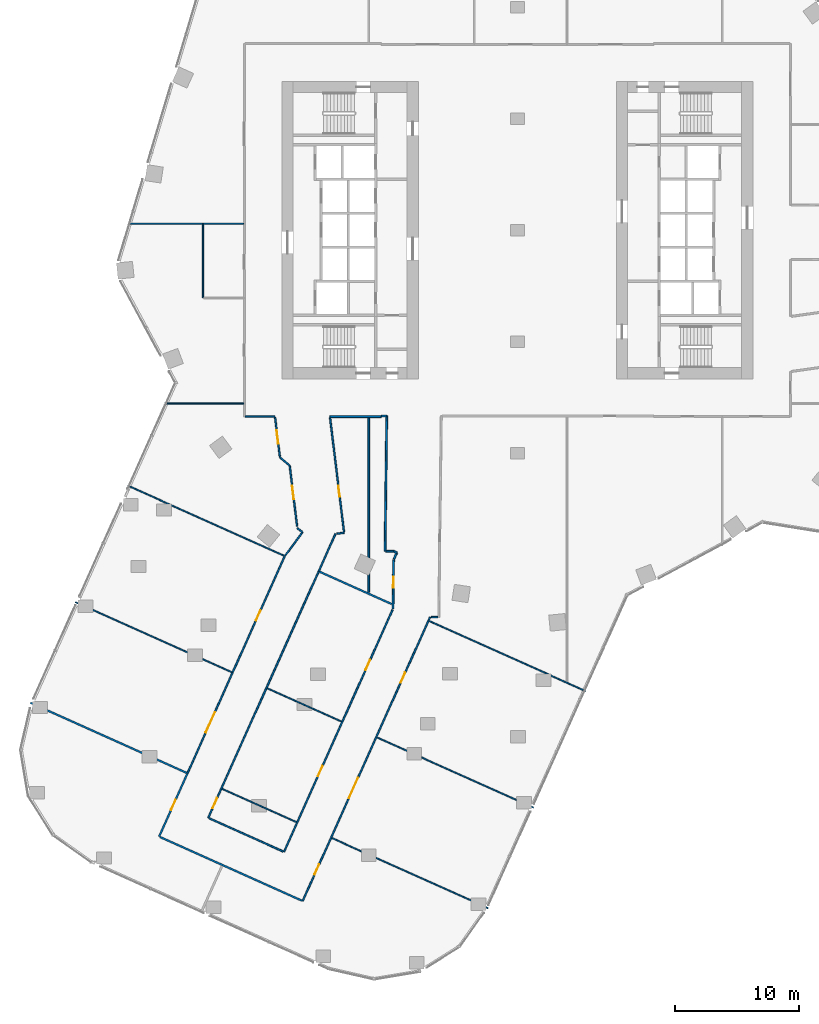
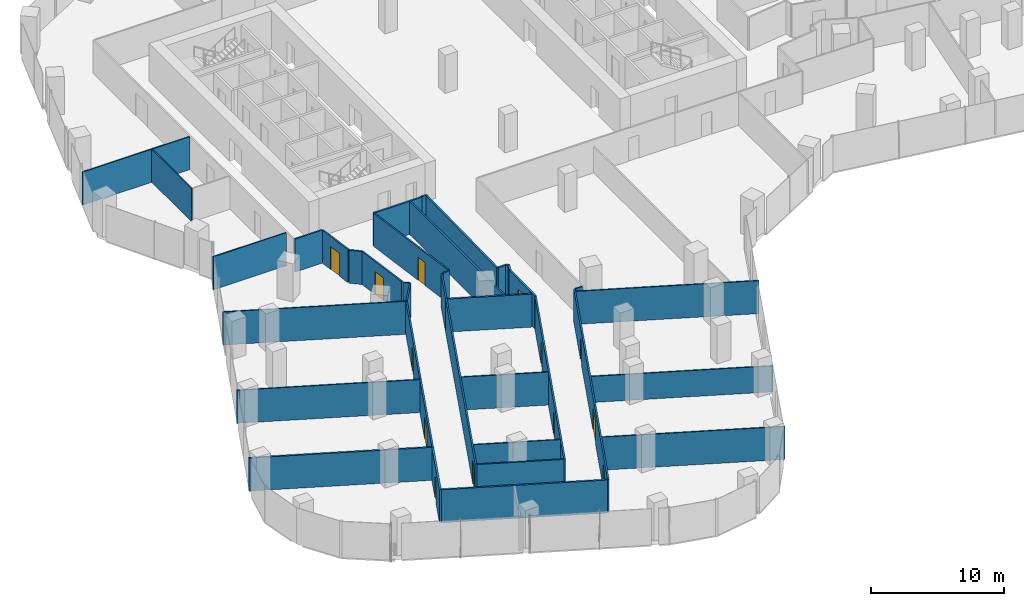
# One storey, part 25 of 34: 38 walls, 13 doors, 13 openings.
"""IFC4 building model written with IfcOpenShell, lengths in metres."""

from ifc_helpers import new_model, si_unit, direction, frame, frame_2d, origin, place, context, subcontext, project, spatial, rectangle, extrude, material, layer, layer_set, type_object, element, fill, save


model = new_model("IFC4")

# Units and contexts
model_context = context("Model", 3, precision=1e-05, world=origin(), true_north=direction((0.0, 1.0)))
body_context = subcontext(model_context, "Body", "Model", "MODEL_VIEW")
ifc_project = project(units=[si_unit("LENGTHUNIT", "METRE"), si_unit("AREAUNIT", "SQUARE_METRE"), si_unit("VOLUMEUNIT", "CUBIC_METRE"), si_unit("PLANEANGLEUNIT", "RADIAN"), si_unit("MASSUNIT", "GRAM", prefix="KILO")], contexts=[model_context])

# Site, building, storey
site_placement = place(None, origin())
site = spatial("IfcSite", under=ifc_project, at=site_placement, CompositionType="ELEMENT")
building_placement = place(site_placement, origin())
building = spatial("IfcBuilding", under=site, at=building_placement, Name="Orlundy Tower", CompositionType="ELEMENT")
storey_placement = place(building_placement, frame((0.0, 0.0, 134.199951171875)))
storey = spatial("IfcBuildingStorey", under=building, at=storey_placement, Name="L34", CompositionType="ELEMENT", Elevation=134.199951171875)

# Walls
ifc_material_1 = material(Name="Gypsum board partition")
ifc_layer_1 = layer(ifc_material_1, 0.10009765625)
ifc_layer_set_1 = layer_set([ifc_layer_1], Name="Floor partition 100")
wall_type_1 = type_object("IfcWallType", Name="Floor partition 100", PredefinedType="PARTITIONING", material=ifc_layer_set_1)
wall_1_placement = place(storey_placement, frame((-23.840087890625, -45.092041015625, 0.0), z_axis=(0.0, 0.0, 1.0), x_axis=(0.912407050909, -0.409283976539, 0.0)))
element("IfcWall", 1, at=wall_1_placement, inside=storey, type_object=wall_type_1, Name="wall-int-L34-014", PredefinedType="PARTITIONING", context=body_context, shape_type="SweptSolid", body=[
    extrude(rectangle(XDim=6.5771484375, YDim=0.10009765625, at=frame_2d((3.28857421875, 0.0))), origin(), (0.0, 0.0, 1.0), 3.030029296875),
])
wall_2_placement = place(storey_placement, frame((-14.987060546875, -49.06494140625, 0.0), z_axis=(0.0, 0.0, 1.0), x_axis=(0.912373916734, -0.409357833763, 0.0)))
element("IfcWall", 2, at=wall_2_placement, inside=storey, type_object=wall_type_1, Name="wall-int-L34-015", PredefinedType="PARTITIONING", context=body_context, shape_type="SweptSolid", body=[
    extrude(rectangle(XDim=13.83642578125, YDim=0.10009765625, at=frame_2d((6.918212890625, 0.0))), origin(), (0.0, 0.0, 1.0), 3.030029296875),
])
wall_3_placement = place(storey_placement, frame((-35.669921875, -30.029052734375, 0.0), z_axis=(0.0, 0.0, 1.0), x_axis=(0.912388382828, -0.409325590307, 0.0)))
element("IfcWall", 3, at=wall_3_placement, inside=storey, type_object=wall_type_1, Name="wall-int-L34-016", PredefinedType="PARTITIONING", context=body_context, shape_type="SweptSolid", body=[
    extrude(rectangle(XDim=13.827392578125, YDim=0.10009765625, at=frame_2d((6.91357421875, 0.0))), origin(), (0.0, 0.0, 1.0), 3.030029296875),
])
wall_4_placement = place(storey_placement, frame((-20.201904296875, -36.969970703125, 0.0), z_axis=(0.0, 0.0, 1.0), x_axis=(0.912431503612, -0.409229460346, 0.0)))
element("IfcWall", 4, at=wall_4_placement, inside=storey, type_object=wall_type_1, Name="wall-int-L34-017", PredefinedType="PARTITIONING", context=body_context, shape_type="SweptSolid", body=[
    extrude(rectangle(XDim=6.583251953125, YDim=0.10009765625, at=frame_2d((3.29150390625, 0.0))), origin(), (0.0, 0.0, 1.0), 3.030029296875),
])
wall_5_placement = place(storey_placement, frame((-31.449951171875, -20.625, 0.0), z_axis=(0.0, 0.0, 1.0), x_axis=(0.91235405171, -0.409402105916, 0.0)))
element("IfcWall", 5, at=wall_5_placement, inside=storey, type_object=wall_type_1, Name="wall-int-L34-019", PredefinedType="PARTITIONING", context=body_context, shape_type="SweptSolid", body=[
    extrude(rectangle(XDim=13.80810546875, YDim=0.10009765625, at=frame_2d((6.904052734375, 0.0))), origin(), (0.0, 0.0, 1.0), 3.030029296875),
])
wall_6_placement = place(storey_placement, frame((-7.1240234375, -31.541015625, 0.0), z_axis=(0.0, 0.0, 1.0), x_axis=(0.91234755526, -0.409416582971, 0.0)))
element("IfcWall", 6, at=wall_6_placement, inside=storey, type_object=wall_type_1, Name="wall-int-L34-021", PredefinedType="PARTITIONING", context=body_context, shape_type="SweptSolid", body=[
    extrude(rectangle(XDim=13.8369140625, YDim=0.10009765625, at=frame_2d((6.91845703125, 0.0))), origin(), (0.0, 0.0, 1.0), 3.030029296875),
])
wall_7_placement = place(storey_placement, frame((-28.47705078125, -14.0, 0.0), z_axis=(0.0, 0.0, 1.0), x_axis=(1.0, 0.0, 0.0)))
element("IfcWall", 7, at=wall_7_placement, inside=storey, type_object=wall_type_1, Name="wall-int-L34-035", PredefinedType="PARTITIONING", context=body_context, shape_type="SweptSolid", body=[
    extrude(rectangle(XDim=6.364013671875, YDim=0.10009765625, at=frame_2d((3.18212890625, 0.0))), origin(), (0.0, 0.0, 1.0), 3.030029296875),
])
wall_8_placement = place(storey_placement, frame((-31.419921875, 0.52392578125, 0.0), z_axis=(0.0, 0.0, 1.0), x_axis=(1.0, 0.0, 0.0)))
element("IfcWall", 8, at=wall_8_placement, inside=storey, type_object=wall_type_1, Name="wall-int-L34-038", PredefinedType="PARTITIONING", context=body_context, shape_type="SweptSolid", body=[
    extrude(rectangle(XDim=9.306884765625, YDim=0.10009765625, at=frame_2d((4.6533203125, 0.0))), origin(), (0.0, 0.0, 1.0), 3.030029296875),
])
wall_9_placement = place(storey_placement, frame((-25.382080078125, -5.47509765625, 0.0), z_axis=(0.0, 0.0, 1.0), x_axis=(0.0, 1.0, 0.0)))
element("IfcWall", 9, at=wall_9_placement, inside=storey, type_object=wall_type_1, Name="wall-int-L34-087", PredefinedType="PARTITIONING", context=body_context, shape_type="SweptSolid", body=[
    extrude(rectangle(XDim=5.94921875, YDim=0.10009765625, at=frame_2d((2.974609375, 0.0))), origin(), (0.0, 0.0, 1.0), 3.030029296875),
])
ifc_material_2 = material(Name="Gypsum board partition")
ifc_layer_2 = layer(ifc_material_2, 0.10009765625)
ifc_layer_set_2 = layer_set([ifc_layer_2], Name="Floor partition 100 B")
wall_type_2 = type_object("IfcWallType", Name="Floor partition 100 B", PredefinedType="PARTITIONING", material=ifc_layer_set_2)
wall_10_placement = place(storey_placement, frame((-11.343994140625, -40.945068359375, 0.0), z_axis=(0.0, 0.0, 1.0), x_axis=(0.912392332027, -0.409316787413, 0.0)))
element("IfcWall", 10, at=wall_10_placement, inside=storey, type_object=wall_type_2, Name="wall-int-L34-018", PredefinedType="PARTITIONING", context=body_context, shape_type="SweptSolid", body=[
    extrude(rectangle(XDim=13.837158203125, YDim=0.10009765625, at=frame_2d((6.91845703125, 0.0))), origin(), (0.0, 0.0, 1.0), 2.39501953125),
])

# Wall, opening, door
ifc_material_3 = material(Name="Gypsum board partition, double layer")
ifc_layer_3 = layer(ifc_material_3, 0.125)
ifc_layer_set_3 = layer_set([ifc_layer_3], Name="Floor partition 125")
wall_type_3 = type_object("IfcWallType", Name="Floor partition 125", PredefinedType="PARTITIONING", material=ifc_layer_set_3)
wall_11_placement = place(storey_placement, frame((-19.179931640625, -18.27197265625, 0.0), z_axis=(0.0, 0.0, 1.0), x_axis=(-0.120984312483, 0.992654419289, 0.0)))
wall_11 = element("IfcWall", 11, at=wall_11_placement, inside=storey, type_object=wall_type_3, Name="wall-int-L34-003", PredefinedType="PARTITIONING", context=body_context, shape_type="SweptSolid", body=[
    extrude(rectangle(XDim=3.182373046875, YDim=0.125, at=frame_2d((1.59130859375, 0.0))), origin(), (0.0, 0.0, 1.0), 3.030029296875),
])
opening_1_placement = place(wall_11_placement, frame((1.03759765625, 0.0, 0.0)))
opening_1 = element("IfcOpeningElement", 12, at=opening_1_placement, cuts=wall_11, Name="Opening 26118", PredefinedType="OPENING", context=body_context, shape_type="SweptSolid", body=[
    extrude(rectangle(XDim=1.10009765625, YDim=2.10009765625, at=frame_2d((0.550048828125, 1.050048828125))), frame((0.0, 0.072509765625, 0.0), z_axis=(0.0, -1.0, 0.0), x_axis=(1.0, 0.0, 0.0)), (0.0, 0.0, 1.0), 0.14501953125),
])
ifc_material_4 = material(Name="Timber door leaf", Category="wood")
door_type_1 = type_object("IfcDoorType", Name="Floor door xwide 1100 FD30S", OperationType="NOTDEFINED", PredefinedType="DOOR", material=ifc_material_4)
door_1_placement = place(opening_1_placement, origin())
door_1 = element("IfcDoor", 13, at=door_1_placement, inside=storey, type_object=door_type_1, Name="Door 26118", OperationType="SINGLE_SWING_LEFT", OverallHeight=2.10009765625, OverallWidth=1.10009765625, PredefinedType="DOOR", context=body_context, shape_type="SweptSolid", body=[
    extrude(rectangle(XDim=1.10009765625, YDim=2.10009765625, at=frame_2d((0.550048828125, 1.050048828125))), frame((0.0, 0.02490234375, 0.0), z_axis=(0.0, -1.0, 0.0), x_axis=(1.0, 0.0, 0.0)), (0.0, 0.0, 1.0), 0.050048828125),
])
fill(opening_1, door_1)

wall_12_placement = place(storey_placement, frame((-17.7880859375, -23.89111328125, 0.0), z_axis=(0.0, 0.0, 1.0), x_axis=(-0.121262962016, 0.992620417906, 0.0)))
wall_12 = element("IfcWall", 14, at=wall_12_placement, inside=storey, type_object=wall_type_3, Name="wall-int-L34-004", PredefinedType="PARTITIONING", context=body_context, shape_type="SweptSolid", body=[
    extrude(rectangle(XDim=4.922607421875, YDim=0.125, at=frame_2d((2.46142578125, 0.0))), origin(), (0.0, 0.0, 1.0), 3.030029296875),
])
opening_2_placement = place(wall_12_placement, frame((2.194580078125, 0.0, 0.0)))
opening_2 = element("IfcOpeningElement", 15, at=opening_2_placement, cuts=wall_12, Name="Opening 26119", PredefinedType="OPENING", context=body_context, shape_type="SweptSolid", body=[
    extrude(rectangle(XDim=1.10009765625, YDim=2.10009765625, at=frame_2d((0.550048828125, 1.050048828125))), frame((0.0, 0.072509765625, 0.0), z_axis=(0.0, -1.0, 0.0), x_axis=(1.0, 0.0, 0.0)), (0.0, 0.0, 1.0), 0.14501953125),
])
door_2_placement = place(opening_2_placement, origin())
door_2 = element("IfcDoor", 16, at=door_2_placement, inside=storey, type_object=door_type_1, Name="Door 26119", OperationType="SINGLE_SWING_RIGHT", OverallHeight=2.10009765625, OverallWidth=1.10009765625, PredefinedType="DOOR", context=body_context, shape_type="SweptSolid", body=[
    extrude(rectangle(XDim=1.10009765625, YDim=2.10009765625, at=frame_2d((0.550048828125, 1.050048828125))), frame((0.0, 0.02490234375, 0.0), z_axis=(0.0, -1.0, 0.0), x_axis=(1.0, 0.0, 0.0)), (0.0, 0.0, 1.0), 0.050048828125),
])
fill(opening_2, door_2)

wall_13_placement = place(storey_placement, frame((-15.1298828125, -15.125, 0.0), z_axis=(0.0, 0.0, 1.0), x_axis=(0.121299614281, -0.992615939614, 0.0)))
wall_13 = element("IfcWall", 17, at=wall_13_placement, inside=storey, type_object=wall_type_3, Name="wall-int-L34-005", PredefinedType="PARTITIONING", context=body_context, shape_type="SweptSolid", body=[
    extrude(rectangle(XDim=9.306640625, YDim=0.125, at=frame_2d((4.6533203125, 0.0))), origin(), (0.0, 0.0, 1.0), 3.030029296875),
])
opening_3_placement = place(wall_13_placement, frame((5.54443359375, 0.0, 0.0)))
opening_3 = element("IfcOpeningElement", 18, at=opening_3_placement, cuts=wall_13, Name="Opening 26120", PredefinedType="OPENING", context=body_context, shape_type="SweptSolid", body=[
    extrude(rectangle(XDim=0.89990234375, YDim=2.10009765625, at=frame_2d((0.449951171875, 1.050048828125))), frame((0.0, 0.072509765625, 0.0), z_axis=(0.0, -1.0, 0.0), x_axis=(1.0, 0.0, 0.0)), (0.0, 0.0, 1.0), 0.14501953125),
])
ifc_material_5 = material(Name="Timber door leaf", Category="wood")
door_type_2 = type_object("IfcDoorType", Name="Floor door single 900 FD30S", OperationType="NOTDEFINED", PredefinedType="DOOR", material=ifc_material_5)
door_3_placement = place(opening_3_placement, origin())
door_3 = element("IfcDoor", 19, at=door_3_placement, inside=storey, type_object=door_type_2, Name="Door 26120", OperationType="SINGLE_SWING_RIGHT", OverallHeight=2.10009765625, OverallWidth=0.89990234375, PredefinedType="DOOR", context=body_context, shape_type="SweptSolid", body=[
    extrude(rectangle(XDim=0.89990234375, YDim=2.10009765625, at=frame_2d((0.449951171875, 1.050048828125))), frame((0.0, 0.02490234375, 0.0), z_axis=(0.0, -1.0, 0.0), x_axis=(1.0, 0.0, 0.0)), (0.0, 0.0, 1.0), 0.050048828125),
])
fill(opening_3, door_3)

# Walls
wall_14_placement = place(storey_placement, frame((-17.77197265625, -24.052001953125, 0.0), z_axis=(0.0, 0.0, 1.0), x_axis=(0.774946890669, -0.632026357554, 0.0)))
element("IfcWall", 20, at=wall_14_placement, inside=storey, type_object=wall_type_3, Name="wall-int-L34-008", PredefinedType="PARTITIONING", context=body_context, shape_type="SweptSolid", body=[
    extrude(rectangle(XDim=0.5380859375, YDim=0.125, at=frame_2d((0.26904296875, 0.0))), origin(), (0.0, 0.0, 1.0), 3.030029296875),
])
wall_15_placement = place(storey_placement, frame((-24.903076171875, -47.465087890625, 0.0), z_axis=(0.0, 0.0, 1.0), x_axis=(0.912437629311, -0.409215802013, 0.0)))
element("IfcWall", 21, at=wall_15_placement, inside=storey, type_object=wall_type_3, Name="wall-int-L34-012", PredefinedType="PARTITIONING", context=body_context, shape_type="SweptSolid", body=[
    extrude(rectangle(XDim=6.57568359375, YDim=0.125, at=frame_2d((3.287841796875, 0.0))), origin(), (0.0, 0.0, 1.0), 3.030029296875),
])
wall_16_placement = place(storey_placement, frame((-6.958984375, -31.23291015625, 0.0), z_axis=(0.0, 0.0, 1.0), x_axis=(0.999914995669, -0.013038459926, 0.0)))
element("IfcWall", 22, at=wall_16_placement, inside=storey, type_object=wall_type_3, Name="wall-int-L34-029", PredefinedType="PARTITIONING", context=body_context, shape_type="SweptSolid", body=[
    extrude(rectangle(XDim=0.54296875, YDim=0.125, at=frame_2d((0.271484375, 0.0))), origin(), (0.0, 0.0, 1.0), 3.030029296875),
])
wall_17_placement = place(storey_placement, frame((-21.988037109375, -15.051025390625, 0.0), z_axis=(0.0, 0.0, 1.0), x_axis=(1.0, 0.0, 0.0)))
element("IfcWall", 23, at=wall_17_placement, inside=storey, type_object=wall_type_3, Name="wall-int-L34-031", PredefinedType="PARTITIONING", context=body_context, shape_type="SweptSolid", body=[
    extrude(rectangle(XDim=2.4150390625, YDim=0.125, at=frame_2d((1.20751953125, 0.0))), origin(), (0.0, 0.0, 1.0), 3.030029296875),
])
wall_18_placement = place(storey_placement, frame((-14.5791015625, -24.4970703125, 0.0), z_axis=(0.0, 0.0, 1.0), x_axis=(0.992511783221, 0.122148926179, 0.0)))
element("IfcWall", 24, at=wall_18_placement, inside=storey, type_object=wall_type_3, Name="wall-int-L34-047", PredefinedType="PARTITIONING", context=body_context, shape_type="SweptSolid", body=[
    extrude(rectangle(XDim=0.589599609375, YDim=0.125, at=frame_2d((0.294921875, 0.0))), origin(), (0.0, 0.0, 1.0), 3.030029296875),
])
wall_19_placement = place(storey_placement, frame((-19.1708984375, -18.333984375, 0.0), z_axis=(0.0, 0.0, 1.0), x_axis=(0.760555965164, -0.649272380326, 0.0)))
element("IfcWall", 25, at=wall_19_placement, inside=storey, type_object=wall_type_3, Name="wall-int-L34-048", PredefinedType="PARTITIONING", context=body_context, shape_type="SweptSolid", body=[
    extrude(rectangle(XDim=1.033203125, YDim=0.125, at=frame_2d((0.5166015625, 0.0))), origin(), (0.0, 0.0, 1.0), 3.030029296875),
])
wall_20_placement = place(storey_placement, frame((-17.35498046875, -24.39208984375, 0.0), z_axis=(0.0, 0.0, 1.0), x_axis=(-0.597497187646, -0.801871006306, 0.0)))
element("IfcWall", 26, at=wall_20_placement, inside=storey, type_object=wall_type_3, Name="wall-int-L34-051", PredefinedType="PARTITIONING", context=body_context, shape_type="SweptSolid", body=[
    extrude(rectangle(XDim=2.328125, YDim=0.125, at=frame_2d((1.1640625, 0.0))), origin(), (0.0, 0.0, 1.0), 3.030029296875),
])

# Wall, openings, doors
wall_21_placement = place(storey_placement, frame((-7.052001953125, -31.23291015625, 0.0), z_axis=(0.0, 0.0, 1.0), x_axis=(-0.409475332718, -0.912321188998, 0.0)))
wall_21 = element("IfcWall", 27, at=wall_21_placement, inside=storey, type_object=wall_type_3, Name="wall-int-L34-054", PredefinedType="PARTITIONING", context=body_context, shape_type="SweptSolid", body=[
    extrude(rectangle(XDim=25.1171875, YDim=0.125, at=frame_2d((12.55859375, 0.0))), origin(), (0.0, 0.0, 1.0), 3.030029296875),
])
opening_4_placement = place(wall_21_placement, frame((4.909912109375, 0.0, 0.0)))
opening_4 = element("IfcOpeningElement", 28, at=opening_4_placement, cuts=wall_21, Name="Opening 26108", PredefinedType="OPENING", context=body_context, shape_type="SweptSolid", body=[
    extrude(rectangle(XDim=0.89990234375, YDim=2.10009765625, at=frame_2d((0.449951171875, 1.050048828125))), frame((0.0, 0.072509765625, 0.0), z_axis=(0.0, -1.0, 0.0), x_axis=(1.0, 0.0, 0.0)), (0.0, 0.0, 1.0), 0.14501953125),
])
opening_5_placement = place(wall_21_placement, frame((14.21728515625, 0.0, 0.0)))
opening_5 = element("IfcOpeningElement", 29, at=opening_5_placement, cuts=wall_21, Name="Opening 26109", PredefinedType="OPENING", context=body_context, shape_type="SweptSolid", body=[
    extrude(rectangle(XDim=1.800048828125, YDim=2.10009765625, at=frame_2d((0.89990234375, 1.050048828125))), frame((0.0, 0.072509765625, 0.0), z_axis=(0.0, -1.0, 0.0), x_axis=(1.0, 0.0, 0.0)), (0.0, 0.0, 1.0), 0.14501953125),
])
opening_6_placement = place(wall_21_placement, frame((21.8671875, 0.0, 0.0)))
opening_6 = element("IfcOpeningElement", 30, at=opening_6_placement, cuts=wall_21, Name="Opening 26114", PredefinedType="OPENING", context=body_context, shape_type="SweptSolid", body=[
    extrude(rectangle(XDim=0.89990234375, YDim=2.10009765625, at=frame_2d((0.449951171875, 1.050048828125))), frame((0.0, 0.072509765625, 0.0), z_axis=(0.0, -1.0, 0.0), x_axis=(1.0, 0.0, 0.0)), (0.0, 0.0, 1.0), 0.14501953125),
])
ifc_material_6 = material(Name="Timber door leaf", Category="wood")
door_type_3 = type_object("IfcDoorType", Name="Floor door double 1800 FD30S", OperationType="NOTDEFINED", PredefinedType="DOOR", material=ifc_material_6)
door_4_placement = place(opening_5_placement, origin())
door_4 = element("IfcDoor", 31, at=door_4_placement, inside=storey, type_object=door_type_3, Name="Door 26109", OperationType="DOUBLE_DOOR_SINGLE_SWING", OverallHeight=2.10009765625, OverallWidth=1.800048828125, PredefinedType="DOOR", context=body_context, shape_type="SweptSolid", body=[
    extrude(rectangle(XDim=1.800048828125, YDim=2.10009765625, at=frame_2d((0.89990234375, 1.050048828125))), frame((0.0, 0.02490234375, 0.0), z_axis=(0.0, -1.0, 0.0), x_axis=(1.0, 0.0, 0.0)), (0.0, 0.0, 1.0), 0.050048828125),
])
fill(opening_5, door_4)
door_5_placement = place(opening_4_placement, origin())
door_5 = element("IfcDoor", 32, at=door_5_placement, inside=storey, type_object=door_type_2, Name="Door 26108", OperationType="SINGLE_SWING_LEFT", OverallHeight=2.10009765625, OverallWidth=0.89990234375, PredefinedType="DOOR", context=body_context, shape_type="SweptSolid", body=[
    extrude(rectangle(XDim=0.89990234375, YDim=2.10009765625, at=frame_2d((0.449951171875, 1.050048828125))), frame((0.0, 0.02490234375, 0.0), z_axis=(0.0, -1.0, 0.0), x_axis=(1.0, 0.0, 0.0)), (0.0, 0.0, 1.0), 0.050048828125),
])
fill(opening_4, door_5)
door_6_placement = place(opening_6_placement, origin())
door_6 = element("IfcDoor", 33, at=door_6_placement, inside=storey, type_object=door_type_2, Name="Door 26114", OperationType="SINGLE_SWING_RIGHT", OverallHeight=2.10009765625, OverallWidth=0.89990234375, PredefinedType="DOOR", context=body_context, shape_type="SweptSolid", body=[
    extrude(rectangle(XDim=0.89990234375, YDim=2.10009765625, at=frame_2d((0.449951171875, 1.050048828125))), frame((0.0, 0.02490234375, 0.0), z_axis=(0.0, -1.0, 0.0), x_axis=(1.0, 0.0, 0.0)), (0.0, 0.0, 1.0), 0.050048828125),
])
fill(opening_6, door_6)

wall_22_placement = place(storey_placement, frame((-18.845947265625, -50.181884765625, 0.0), z_axis=(0.0, 0.0, 1.0), x_axis=(0.409280065355, 0.912408805363, 0.0)))
wall_22 = element("IfcWall", 34, at=wall_22_placement, inside=storey, type_object=wall_type_3, Name="wall-int-L34-055", PredefinedType="PARTITIONING", context=body_context, shape_type="SweptSolid", body=[
    extrude(rectangle(XDim=21.420166015625, YDim=0.125, at=frame_2d((10.7099609375, 0.0))), origin(), (0.0, 0.0, 1.0), 3.030029296875),
])
opening_7_placement = place(wall_22_placement, frame((16.099853515625, 0.0, 0.0)))
opening_7 = element("IfcOpeningElement", 35, at=opening_7_placement, cuts=wall_22, Name="Opening 26110", PredefinedType="OPENING", context=body_context, shape_type="SweptSolid", body=[
    extrude(rectangle(XDim=0.89990234375, YDim=2.10009765625, at=frame_2d((0.449951171875, 1.050048828125))), frame((0.0, 0.072509765625, 0.0), z_axis=(0.0, -1.0, 0.0), x_axis=(1.0, 0.0, 0.0)), (0.0, 0.0, 1.0), 0.14501953125),
])
opening_8_placement = place(wall_22_placement, frame((6.69970703125, 0.0, 0.0)))
opening_8 = element("IfcOpeningElement", 36, at=opening_8_placement, cuts=wall_22, Name="Opening 26111", PredefinedType="OPENING", context=body_context, shape_type="SweptSolid", body=[
    extrude(rectangle(XDim=0.89990234375, YDim=2.10009765625, at=frame_2d((0.449951171875, 1.050048828125))), frame((0.0, 0.072509765625, 0.0), z_axis=(0.0, -1.0, 0.0), x_axis=(1.0, 0.0, 0.0)), (0.0, 0.0, 1.0), 0.14501953125),
])
door_7_placement = place(opening_7_placement, origin())
door_7 = element("IfcDoor", 37, at=door_7_placement, inside=storey, type_object=door_type_2, Name="Door 26110", OperationType="SINGLE_SWING_RIGHT", OverallHeight=2.10009765625, OverallWidth=0.89990234375, PredefinedType="DOOR", context=body_context, shape_type="SweptSolid", body=[
    extrude(rectangle(XDim=0.89990234375, YDim=2.10009765625, at=frame_2d((0.449951171875, 1.050048828125))), frame((0.0, 0.02490234375, 0.0), z_axis=(0.0, -1.0, 0.0), x_axis=(1.0, 0.0, 0.0)), (0.0, 0.0, 1.0), 0.050048828125),
])
fill(opening_7, door_7)
door_8_placement = place(opening_8_placement, origin())
door_8 = element("IfcDoor", 38, at=door_8_placement, inside=storey, type_object=door_type_2, Name="Door 26111", OperationType="SINGLE_SWING_LEFT", OverallHeight=2.10009765625, OverallWidth=0.89990234375, PredefinedType="DOOR", context=body_context, shape_type="SweptSolid", body=[
    extrude(rectangle(XDim=0.89990234375, YDim=2.10009765625, at=frame_2d((0.449951171875, 1.050048828125))), frame((0.0, 0.02490234375, 0.0), z_axis=(0.0, -1.0, 0.0), x_axis=(1.0, 0.0, 0.0)), (0.0, 0.0, 1.0), 0.050048828125),
])
fill(opening_8, door_8)

# Wall, opening, door
wall_23_placement = place(storey_placement, frame((-16.044921875, -27.5380859375, 0.0), z_axis=(0.0, 0.0, 1.0), x_axis=(-0.408825080593, -0.912612762062, 0.0)))
wall_23 = element("IfcWall", 39, at=wall_23_placement, inside=storey, type_object=wall_type_3, Name="wall-int-L34-057", PredefinedType="PARTITIONING", context=body_context, shape_type="SweptSolid", body=[
    extrude(rectangle(XDim=21.806396484375, YDim=0.125, at=frame_2d((10.9033203125, 0.0))), origin(), (0.0, 0.0, 1.0), 3.030029296875),
])
opening_9_placement = place(wall_23_placement, frame((20.05615234375, 0.0, 0.0)))
opening_9 = element("IfcOpeningElement", 40, at=opening_9_placement, cuts=wall_23, Name="Opening 26112", PredefinedType="OPENING", context=body_context, shape_type="SweptSolid", body=[
    extrude(rectangle(XDim=0.89990234375, YDim=2.10009765625, at=frame_2d((0.449951171875, 1.050048828125))), frame((0.0, 0.072509765625, 0.0), z_axis=(0.0, -1.0, 0.0), x_axis=(1.0, 0.0, 0.0)), (0.0, 0.0, 1.0), 0.14501953125),
])
door_9_placement = place(opening_9_placement, origin())
door_9 = element("IfcDoor", 41, at=door_9_placement, inside=storey, type_object=door_type_2, Name="Door 26112", OperationType="SINGLE_SWING_RIGHT", OverallHeight=2.10009765625, OverallWidth=0.89990234375, PredefinedType="DOOR", context=body_context, shape_type="SweptSolid", body=[
    extrude(rectangle(XDim=0.89990234375, YDim=2.10009765625, at=frame_2d((0.449951171875, 1.050048828125))), frame((0.0, 0.02490234375, 0.0), z_axis=(0.0, -1.0, 0.0), x_axis=(1.0, 0.0, 0.0)), (0.0, 0.0, 1.0), 0.050048828125),
])
fill(opening_9, door_9)

# Wall
wall_24_placement = place(storey_placement, frame((-16.044921875, -27.5380859375, 0.0), z_axis=(0.0, 0.0, 1.0), x_axis=(0.408690351199, 0.912673105135, 0.0)))
element("IfcWall", 42, at=wall_24_placement, inside=storey, type_object=wall_type_3, Name="wall-int-L34-058", PredefinedType="PARTITIONING", context=body_context, shape_type="SweptSolid", body=[
    extrude(rectangle(XDim=3.31787109375, YDim=0.125, at=frame_2d((1.658935546875, 0.0))), origin(), (0.0, 0.0, 1.0), 3.030029296875),
])

# Wall, opening, door
wall_25_placement = place(storey_placement, frame((-22.9970703125, -35.715087890625, 0.0), z_axis=(0.0, 0.0, 1.0), x_axis=(0.408864099405, 0.91259528172, 0.0)))
wall_25 = element("IfcWall", 43, at=wall_25_placement, inside=storey, type_object=wall_type_3, Name="wall-int-L34-060", PredefinedType="PARTITIONING", context=body_context, shape_type="SweptSolid", body=[
    extrude(rectangle(XDim=10.306884765625, YDim=0.125, at=frame_2d((5.1533203125, 0.0))), origin(), (0.0, 0.0, 1.0), 3.030029296875),
])
opening_10_placement = place(wall_25_placement, frame((4.60009765625, 0.0, 0.0)))
opening_10 = element("IfcOpeningElement", 44, at=opening_10_placement, cuts=wall_25, Name="Opening 26115", PredefinedType="OPENING", context=body_context, shape_type="SweptSolid", body=[
    extrude(rectangle(XDim=0.89990234375, YDim=2.10009765625, at=frame_2d((0.449951171875, 1.050048828125))), frame((0.0, 0.072509765625, 0.0), z_axis=(0.0, -1.0, 0.0), x_axis=(1.0, 0.0, 0.0)), (0.0, 0.0, 1.0), 0.14501953125),
])
door_10_placement = place(opening_10_placement, origin())
door_10 = element("IfcDoor", 45, at=door_10_placement, inside=storey, type_object=door_type_2, Name="Door 26115", OperationType="SINGLE_SWING_LEFT", OverallHeight=2.10009765625, OverallWidth=0.89990234375, PredefinedType="DOOR", context=body_context, shape_type="SweptSolid", body=[
    extrude(rectangle(XDim=0.89990234375, YDim=2.10009765625, at=frame_2d((0.449951171875, 1.050048828125))), frame((0.0, 0.02490234375, 0.0), z_axis=(0.0, -1.0, 0.0), x_axis=(1.0, 0.0, 0.0)), (0.0, 0.0, 1.0), 0.050048828125),
])
fill(opening_10, door_10)

wall_26_placement = place(storey_placement, frame((-26.635009765625, -43.837890625, 0.0), z_axis=(0.0, 0.0, 1.0), x_axis=(0.40874555993, 0.912648380943, 0.0)))
wall_26 = element("IfcWall", 46, at=wall_26_placement, inside=storey, type_object=wall_type_3, Name="wall-int-L34-061", PredefinedType="PARTITIONING", context=body_context, shape_type="SweptSolid", body=[
    extrude(rectangle(XDim=8.900146484375, YDim=0.125, at=frame_2d((4.4501953125, 0.0))), origin(), (0.0, 0.0, 1.0), 3.030029296875),
])
opening_11_placement = place(wall_26_placement, frame((3.60009765625, 0.0, 0.0)))
opening_11 = element("IfcOpeningElement", 47, at=opening_11_placement, cuts=wall_26, Name="Opening 26116", PredefinedType="OPENING", context=body_context, shape_type="SweptSolid", body=[
    extrude(rectangle(XDim=1.800048828125, YDim=2.10009765625, at=frame_2d((0.89990234375, 1.050048828125))), frame((0.0, 0.072509765625, 0.0), z_axis=(0.0, -1.0, 0.0), x_axis=(1.0, 0.0, 0.0)), (0.0, 0.0, 1.0), 0.14501953125),
])
door_11_placement = place(opening_11_placement, origin())
door_11 = element("IfcDoor", 48, at=door_11_placement, inside=storey, type_object=door_type_3, Name="Door 26116", OperationType="DOUBLE_DOOR_SINGLE_SWING", OverallHeight=2.10009765625, OverallWidth=1.800048828125, PredefinedType="DOOR", context=body_context, shape_type="SweptSolid", body=[
    extrude(rectangle(XDim=1.800048828125, YDim=2.10009765625, at=frame_2d((0.89990234375, 1.050048828125))), frame((0.0, 0.02490234375, 0.0), z_axis=(0.0, -1.0, 0.0), x_axis=(1.0, 0.0, 0.0)), (0.0, 0.0, 1.0), 0.050048828125),
])
fill(opening_11, door_11)

# Walls
ifc_material_7 = material(Name="Blockwork shaft wall", Category="masonry")
ifc_layer_4 = layer(ifc_material_7, 0.14990234375)
ifc_layer_set_4 = layer_set([ifc_layer_4], Name="Floor shaft wall 150")
wall_type_4 = type_object("IfcWallType", Name="Floor shaft wall 150", PredefinedType="PARTITIONING", material=ifc_layer_set_4)
wall_27_placement = place(storey_placement, frame((-9.988037109375, -25.923095703125, 0.0), z_axis=(0.0, 0.0, 1.0), x_axis=(0.909848474823, -0.414940661858, 0.0)))
element("IfcWall", 49, at=wall_27_placement, inside=storey, type_object=wall_type_4, Name="wall-int-L34-009", PredefinedType="PARTITIONING", context=body_context, shape_type="SweptSolid", body=[
    extrude(rectangle(XDim=0.274658203125, YDim=0.14990234375, at=frame_2d((0.13720703125, 0.0))), origin(), (0.0, 0.0, 1.0), 3.030029296875),
])
wall_28_placement = place(storey_placement, frame((-17.40087890625, -54.12109375, 0.0), z_axis=(0.0, 0.0, 1.0), x_axis=(-0.912370625887, 0.409365168302, 0.0)))
element("IfcWall", 50, at=wall_28_placement, inside=storey, type_object=wall_type_4, Name="wall-int-L34-011", PredefinedType="PARTITIONING", context=body_context, shape_type="SweptSolid", body=[
    extrude(rectangle(XDim=12.556396484375, YDim=0.14990234375, at=frame_2d((6.2783203125, 0.0))), origin(), (0.0, 0.0, 1.0), 3.030029296875),
])
wall_29_placement = place(storey_placement, frame((-39.31298828125, -38.14892578125, 0.0), z_axis=(0.0, 0.0, 1.0), x_axis=(0.912370127325, -0.409366279467, 0.0)))
element("IfcWall", 51, at=wall_29_placement, inside=storey, type_object=wall_type_4, Name="wall-int-L34-013", PredefinedType="PARTITIONING", context=body_context, shape_type="SweptSolid", body=[
    extrude(rectangle(XDim=13.8212890625, YDim=0.14990234375, at=frame_2d((6.91064453125, 0.0))), origin(), (0.0, 0.0, 1.0), 3.030029296875),
])
wall_30_placement = place(storey_placement, frame((-15.988037109375, -27.56396484375, 0.0), z_axis=(0.0, 0.0, 1.0), x_axis=(0.912384094407, -0.409335149081, 0.0)))
element("IfcWall", 52, at=wall_30_placement, inside=storey, type_object=wall_type_4, Name="wall-int-L34-020", PredefinedType="PARTITIONING", context=body_context, shape_type="SweptSolid", body=[
    extrude(rectangle(XDim=6.40087890625, YDim=0.14990234375, at=frame_2d((3.200439453125, 0.0))), origin(), (0.0, 0.0, 1.0), 3.030029296875),
])
wall_31_placement = place(storey_placement, frame((-10.613037109375, -25.9150390625, 0.0), z_axis=(0.0, 0.0, 1.0), x_axis=(0.999916926247, -0.012889554127, 0.0)))
element("IfcWall", 53, at=wall_31_placement, inside=storey, type_object=wall_type_4, Name="wall-int-L34-030", PredefinedType="PARTITIONING", context=body_context, shape_type="SweptSolid", body=[
    extrude(rectangle(XDim=0.625, YDim=0.14990234375, at=frame_2d((0.3125, 0.0))), origin(), (0.0, 0.0, 1.0), 3.030029296875),
])
wall_32_placement = place(storey_placement, frame((-15.138916015625, -15.051025390625, 0.0), z_axis=(0.0, 0.0, 1.0), x_axis=(1.0, 0.0, 0.0)))
element("IfcWall", 54, at=wall_32_placement, inside=storey, type_object=wall_type_4, Name="wall-int-L34-032", PredefinedType="PARTITIONING", context=body_context, shape_type="SweptSolid", body=[
    extrude(rectangle(XDim=4.14794921875, YDim=0.14990234375, at=frame_2d((2.073974609375, 0.0))), origin(), (0.0, 0.0, 1.0), 3.030029296875),
])
wall_33_placement = place(storey_placement, frame((-10.989990234375, -15.0009765625, 0.0), z_axis=(0.0, 0.0, 1.0), x_axis=(0.99999751433, 0.002229648861, 0.0)))
element("IfcWall", 55, at=wall_33_placement, inside=storey, type_object=wall_type_4, Name="wall-int-L34-043", PredefinedType="PARTITIONING", context=body_context, shape_type="SweptSolid", body=[
    extrude(rectangle(XDim=0.43798828125, YDim=0.14990234375, at=frame_2d((0.218994140625, 0.0))), origin(), (0.0, 0.0, 1.0), 3.030029296875),
])
wall_34_placement = place(storey_placement, frame((-9.966064453125, -26.534912109375, 0.0), z_axis=(0.0, 0.0, 1.0), x_axis=(0.416455108449, 0.909156280651, 0.0)))
element("IfcWall", 56, at=wall_34_placement, inside=storey, type_object=wall_type_4, Name="wall-int-L34-052", PredefinedType="PARTITIONING", context=body_context, shape_type="SweptSolid", body=[
    extrude(rectangle(XDim=0.547607421875, YDim=0.14990234375, at=frame_2d((0.27392578125, 0.0))), origin(), (0.0, 0.0, 1.0), 3.030029296875),
])

# Wall, opening, door
wall_35_placement = place(storey_placement, frame((-28.925048828125, -48.948974609375, 0.0), z_axis=(0.0, 0.0, 1.0), x_axis=(0.408886926623, 0.912585054248, 0.0)))
wall_35 = element("IfcWall", 57, at=wall_35_placement, inside=storey, type_object=wall_type_4, Name="wall-int-L34-059", PredefinedType="PARTITIONING", context=body_context, shape_type="SweptSolid", body=[
    extrude(rectangle(XDim=5.6005859375, YDim=0.14990234375, at=frame_2d((2.80029296875, 0.0))), origin(), (0.0, 0.0, 1.0), 3.030029296875),
])
opening_12_placement = place(wall_35_placement, frame((2.35009765625, 0.0, 0.0)))
opening_12 = element("IfcOpeningElement", 58, at=opening_12_placement, cuts=wall_35, Name="Opening 26113", PredefinedType="OPENING", context=body_context, shape_type="SweptSolid", body=[
    extrude(rectangle(XDim=0.89990234375, YDim=2.10009765625, at=frame_2d((0.449951171875, 1.050048828125))), frame((0.0, 0.0849609375, 0.0), z_axis=(0.0, -1.0, 0.0), x_axis=(1.0, 0.0, 0.0)), (0.0, 0.0, 1.0), 0.169921875),
])
ifc_material_8 = material(Name="Timber door leaf", Category="wood")
door_type_4 = type_object("IfcDoorType", Name="Floor door single 900 FD60", OperationType="NOTDEFINED", PredefinedType="DOOR", material=ifc_material_8)
door_12_placement = place(opening_12_placement, origin())
door_12 = element("IfcDoor", 59, at=door_12_placement, inside=storey, type_object=door_type_4, Name="Door 26113", OperationType="SINGLE_SWING_LEFT", OverallHeight=2.10009765625, OverallWidth=0.89990234375, PredefinedType="DOOR", context=body_context, shape_type="SweptSolid", body=[
    extrude(rectangle(XDim=0.89990234375, YDim=2.10009765625, at=frame_2d((0.449951171875, 1.050048828125))), frame((0.0, 0.02490234375, 0.0), z_axis=(0.0, -1.0, 0.0), x_axis=(1.0, 0.0, 0.0)), (0.0, 0.0, 1.0), 0.050048828125),
])
fill(opening_12, door_12)

wall_36_placement = place(storey_placement, frame((-10.0458984375, -30.571044921875, 0.0), z_axis=(0.0, 0.0, 1.0), x_axis=(0.011833490909, 0.999929981795, 0.0)))
wall_36 = element("IfcWall", 60, at=wall_36_placement, inside=storey, type_object=wall_type_4, Name="wall-int-L34-074", PredefinedType="PARTITIONING", context=body_context, shape_type="SweptSolid", body=[
    extrude(rectangle(XDim=3.961181640625, YDim=0.14990234375, at=frame_2d((1.98046875, 0.0))), origin(), (0.0, 0.0, 1.0), 3.030029296875),
])
opening_13_placement = place(wall_36_placement, frame((1.68896484375, 0.0, 0.0)))
opening_13 = element("IfcOpeningElement", 61, at=opening_13_placement, cuts=wall_36, Name="Opening 26121", PredefinedType="OPENING", context=body_context, shape_type="SweptSolid", body=[
    extrude(rectangle(XDim=0.89990234375, YDim=2.10009765625, at=frame_2d((0.449951171875, 1.050048828125))), frame((0.0, 0.0849609375, 0.0), z_axis=(0.0, -1.0, 0.0), x_axis=(1.0, 0.0, 0.0)), (0.0, 0.0, 1.0), 0.169921875),
])
door_13_placement = place(opening_13_placement, origin())
door_13 = element("IfcDoor", 62, at=door_13_placement, inside=storey, type_object=door_type_4, Name="Door 26121", OperationType="SINGLE_SWING_RIGHT", OverallHeight=2.10009765625, OverallWidth=0.89990234375, PredefinedType="DOOR", context=body_context, shape_type="SweptSolid", body=[
    extrude(rectangle(XDim=0.89990234375, YDim=2.10009765625, at=frame_2d((0.449951171875, 1.050048828125))), frame((0.0, 0.02490234375, 0.0), z_axis=(0.0, -1.0, 0.0), x_axis=(1.0, 0.0, 0.0)), (0.0, 0.0, 1.0), 0.050048828125),
])
fill(opening_13, door_13)

# Walls
wall_37_placement = place(storey_placement, frame((-10.68798828125, -25.9140625, 0.0), z_axis=(0.0, 0.0, 1.0), x_axis=(0.012457653597, 0.999922400423, 0.0)))
element("IfcWall", 63, at=wall_37_placement, inside=storey, type_object=wall_type_4, Name="wall-int-L34-075", PredefinedType="PARTITIONING", context=body_context, shape_type="SweptSolid", body=[
    extrude(rectangle(XDim=10.915771484375, YDim=0.14990234375, at=frame_2d((5.4580078125, 0.0))), origin(), (0.0, 0.0, 1.0), 3.030029296875),
])
wall_38_placement = place(storey_placement, frame((-12.0, -29.237060546875, 0.0), z_axis=(0.0, 0.0, 1.0), x_axis=(0.0, 1.0, 0.0)))
element("IfcWall", 64, at=wall_38_placement, inside=storey, type_object=wall_type_4, Name="wall-int-L34-084", PredefinedType="PARTITIONING", context=body_context, shape_type="SweptSolid", body=[
    extrude(rectangle(XDim=14.111083984375, YDim=0.14990234375, at=frame_2d((7.0556640625, 0.0))), origin(), (0.0, 0.0, 1.0), 3.030029296875),
])

save(model, "model.ifc")
